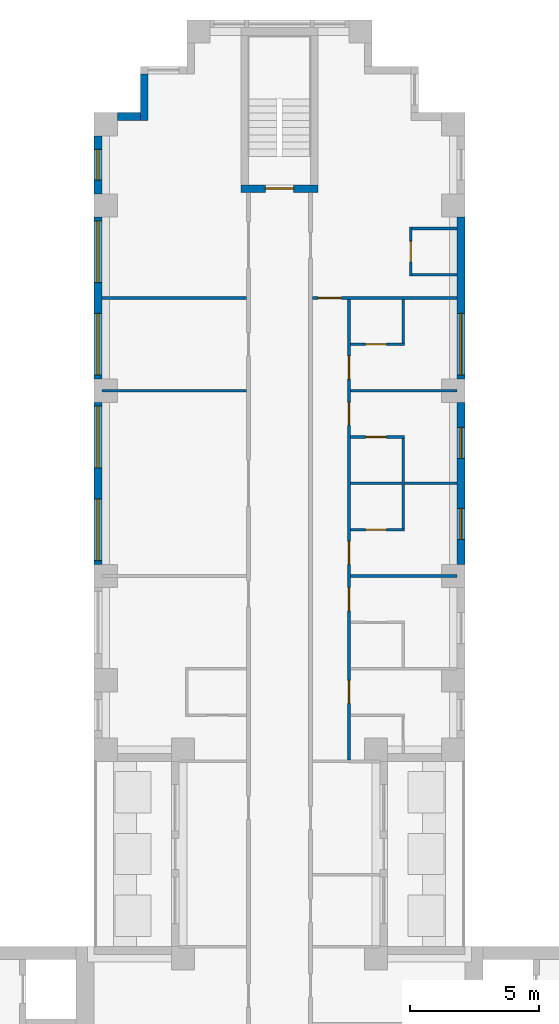
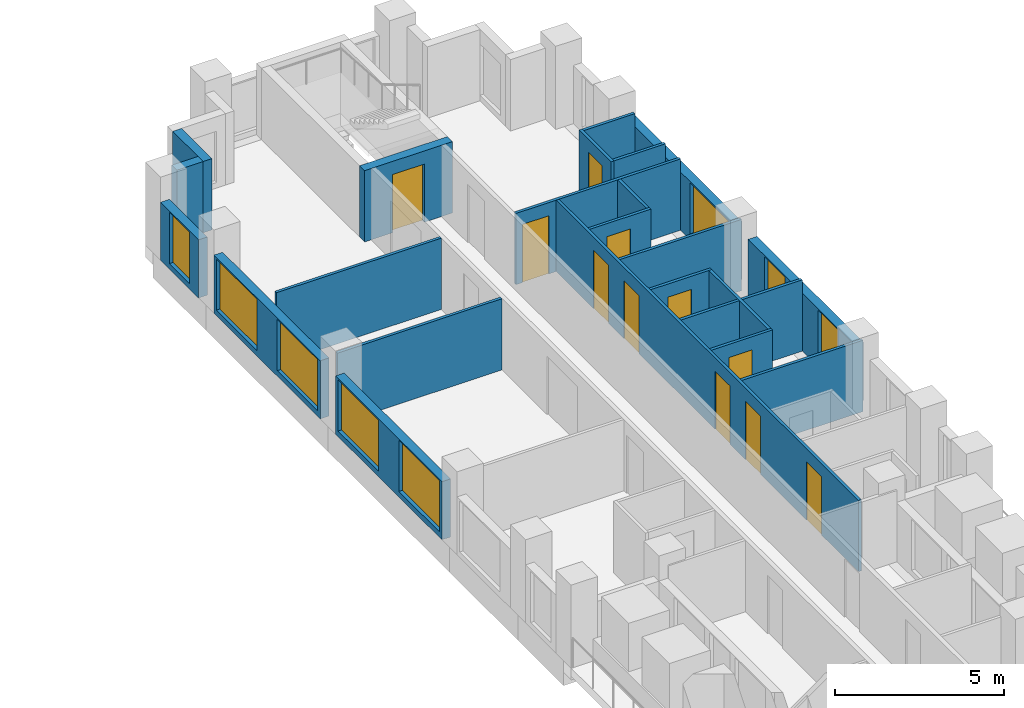
# One storey, part 11 of 15: 23 walls, 11 doors, 8 windows, 19 openings.
"""IFC4 building model written with IfcOpenShell, lengths in metres."""

from ifc_helpers import new_model, si_unit, direction, frame, frame_2d, origin, place, context, subcontext, project, spatial, rectangle, extrude, material, layer, layer_set, type_object, element, fill, save


model = new_model("IFC4")

# Units and contexts
model_context = context("Model", 3, precision=1e-05, world=origin(), true_north=direction((0.0, 1.0)))
body_context = subcontext(model_context, "Body", "Model", "MODEL_VIEW")
ifc_project = project(units=[si_unit("LENGTHUNIT", "METRE"), si_unit("AREAUNIT", "SQUARE_METRE"), si_unit("VOLUMEUNIT", "CUBIC_METRE"), si_unit("PLANEANGLEUNIT", "RADIAN"), si_unit("MASSUNIT", "GRAM", prefix="KILO")], contexts=[model_context])

# Site, building, storey
site_placement = place(None, origin())
site = spatial("IfcSite", under=ifc_project, at=site_placement, CompositionType="ELEMENT")
building_placement = place(site_placement, origin())
building = spatial("IfcBuilding", under=site, at=building_placement, Name="Fustian Cross Tower", CompositionType="ELEMENT")
storey_placement = place(building_placement, frame((0.0, 0.0, 41.699951171875)))
storey = spatial("IfcBuildingStorey", under=building, at=storey_placement, Name="L12", CompositionType="ELEMENT", Elevation=41.699951171875)

# Walls
ifc_material_1 = material(Name="Plasterboard on steel stud", Category="steel")
ifc_layer_1 = layer(ifc_material_1, 0.10009765625)
ifc_layer_set_1 = layer_set([ifc_layer_1], Name="Plasterboard on steel stud")
wall_type_1 = type_object("IfcWallType", Name="PARTITION 100 STUD", PredefinedType="PARTITIONING", material=ifc_layer_set_1)
for number, where, z_axis, x_axis, name in (
    (1, (-6.89990234375, 28.800048828125, 0.0), (0.0, 0.0, 1.0), (1.0, 0.0, 0.0), "Partition 20"),
    (2, (-6.89990234375, 32.39990234375, 0.0), (0.0, 0.0, 1.0), (1.0, 0.0, 0.0), "Partition 21"),
):
    element("IfcWall", number, at=place(storey_placement, frame(where, z_axis=z_axis, x_axis=x_axis)), inside=storey, type_object=wall_type_1, Name=name, PredefinedType="PARTITIONING", context=body_context, shape_type="SweptSolid", body=[
        extrude(rectangle(XDim=5.625, YDim=0.10009765625, at=frame_2d((2.8125, 0.0))), origin(), (0.0, 0.0, 1.0), 2.574951171875),
    ])

# Wall, opening, door
wall_1_placement = place(storey_placement, frame((1.27490234375, 32.39990234375, 0.0), z_axis=(0.0, 0.0, 1.0), x_axis=(1.0, 0.0, 0.0)))
wall_1 = element("IfcWall", 3, at=wall_1_placement, inside=storey, type_object=wall_type_1, Name="Partition 58", PredefinedType="PARTITIONING", context=body_context, shape_type="SweptSolid", body=[
    extrude(rectangle(XDim=5.625, YDim=0.10009765625, at=frame_2d((2.8125, 0.0))), origin(), (0.0, 0.0, 1.0), 2.574951171875),
])
opening_1_placement = place(wall_1_placement, frame((0.22509765625, 0.0, 0.0)))
opening_1 = element("IfcOpeningElement", 4, at=opening_1_placement, cuts=wall_1, Name="Opening D07030", PredefinedType="OPENING", context=body_context, shape_type="SweptSolid", body=[
    extrude(rectangle(XDim=0.89990234375, YDim=2.10009765625, at=frame_2d((0.449951171875, 1.050048828125))), frame((0.0, 0.06005859375, 0.0), z_axis=(0.0, -1.0, 0.0), x_axis=(1.0, 0.0, 0.0)), (0.0, 0.0, 1.0), 0.1201171875),
])
ifc_material_2 = material(Name="Painted timber", Category="wood")
door_type_1 = type_object("IfcDoorType", Name="SWING DOOR 900", OperationType="SINGLE_SWING_LEFT", PredefinedType="DOOR", material=ifc_material_2)
door_1_placement = place(opening_1_placement, frame((0.89990234375, 0.0, 0.0), z_axis=(0.0, 0.0, 1.0), x_axis=(-1.0, 0.0, 0.0)))
door_1 = element("IfcDoor", 5, at=door_1_placement, inside=storey, type_object=door_type_1, Name="Door D07030", OperationType="SINGLE_SWING_RIGHT", OverallHeight=2.10009765625, OverallWidth=0.89990234375, PredefinedType="DOOR", context=body_context, shape_type="SweptSolid", body=[
    extrude(rectangle(XDim=0.89990234375, YDim=2.10009765625, at=frame_2d((0.449951171875, 1.050048828125))), frame((0.0, 0.02490234375, 0.0), z_axis=(0.0, -1.0, 0.0), x_axis=(1.0, 0.0, 0.0)), (0.0, 0.0, 1.0), 0.050048828125),
])
fill(opening_1, door_1)

# Wall, openings, doors
wall_2_placement = place(storey_placement, frame((2.699951171875, 14.46240234375, 0.0), z_axis=(0.0, 0.0, 1.0), x_axis=(0.0, 1.0, 0.0)))
wall_2 = element("IfcWall", 6, at=wall_2_placement, inside=storey, type_object=wall_type_1, Name="Partition 59", PredefinedType="PARTITIONING", context=body_context, shape_type="SweptSolid", body=[
    extrude(rectangle(XDim=17.8876953125, YDim=0.10009765625, at=frame_2d((8.94384765625, 0.0))), origin(), (0.0, 0.0, 1.0), 2.574951171875),
])
opening_2_placement = place(wall_2_placement, frame((2.1875, 0.0, 0.0)))
opening_2 = element("IfcOpeningElement", 7, at=opening_2_placement, cuts=wall_2, Name="Opening D07031", PredefinedType="OPENING", context=body_context, shape_type="SweptSolid", body=[
    extrude(rectangle(XDim=0.89990234375, YDim=2.10009765625, at=frame_2d((0.449951171875, 1.050048828125))), frame((0.0, 0.06005859375, 0.0), z_axis=(0.0, -1.0, 0.0), x_axis=(1.0, 0.0, 0.0)), (0.0, 0.0, 1.0), 0.1201171875),
])
opening_3_placement = place(wall_2_placement, frame((5.78759765625, 0.0, 0.0)))
opening_3 = element("IfcOpeningElement", 8, at=opening_3_placement, cuts=wall_2, Name="Opening D07032", PredefinedType="OPENING", context=body_context, shape_type="SweptSolid", body=[
    extrude(rectangle(XDim=0.89990234375, YDim=2.10009765625, at=frame_2d((0.449951171875, 1.050048828125))), frame((0.0, 0.06005859375, 0.0), z_axis=(0.0, -1.0, 0.0), x_axis=(1.0, 0.0, 0.0)), (0.0, 0.0, 1.0), 0.1201171875),
])
opening_4_placement = place(wall_2_placement, frame((7.58740234375, 0.0, 0.0)))
opening_4 = element("IfcOpeningElement", 9, at=opening_4_placement, cuts=wall_2, Name="Opening D07033", PredefinedType="OPENING", context=body_context, shape_type="SweptSolid", body=[
    extrude(rectangle(XDim=0.89990234375, YDim=2.10009765625, at=frame_2d((0.449951171875, 1.050048828125))), frame((0.0, 0.06005859375, 0.0), z_axis=(0.0, -1.0, 0.0), x_axis=(1.0, 0.0, 0.0)), (0.0, 0.0, 1.0), 0.1201171875),
])
opening_5_placement = place(wall_2_placement, frame((12.987548828125, 0.0, 0.0)))
opening_5 = element("IfcOpeningElement", 10, at=opening_5_placement, cuts=wall_2, Name="Opening D07034", PredefinedType="OPENING", context=body_context, shape_type="SweptSolid", body=[
    extrude(rectangle(XDim=0.89990234375, YDim=2.10009765625, at=frame_2d((0.449951171875, 1.050048828125))), frame((0.0, 0.06005859375, 0.0), z_axis=(0.0, -1.0, 0.0), x_axis=(1.0, 0.0, 0.0)), (0.0, 0.0, 1.0), 0.1201171875),
])
opening_6_placement = place(wall_2_placement, frame((14.78759765625, 0.0, 0.0)))
opening_6 = element("IfcOpeningElement", 11, at=opening_6_placement, cuts=wall_2, Name="Opening D07035", PredefinedType="OPENING", context=body_context, shape_type="SweptSolid", body=[
    extrude(rectangle(XDim=0.89990234375, YDim=2.10009765625, at=frame_2d((0.449951171875, 1.050048828125))), frame((0.0, 0.06005859375, 0.0), z_axis=(0.0, -1.0, 0.0), x_axis=(1.0, 0.0, 0.0)), (0.0, 0.0, 1.0), 0.1201171875),
])
door_2_placement = place(opening_2_placement, frame((0.89990234375, 0.0, 0.0), z_axis=(0.0, 0.0, 1.0), x_axis=(-1.0, 0.0, 0.0)))
door_2 = element("IfcDoor", 12, at=door_2_placement, inside=storey, type_object=door_type_1, Name="Door D07031", OperationType="SINGLE_SWING_RIGHT", OverallHeight=2.10009765625, OverallWidth=0.89990234375, PredefinedType="DOOR", context=body_context, shape_type="SweptSolid", body=[
    extrude(rectangle(XDim=0.89990234375, YDim=2.10009765625, at=frame_2d((0.449951171875, 1.050048828125))), frame((0.0, 0.02490234375, 0.0), z_axis=(0.0, -1.0, 0.0), x_axis=(1.0, 0.0, 0.0)), (0.0, 0.0, 1.0), 0.050048828125),
])
fill(opening_2, door_2)
door_3_placement = place(opening_3_placement, frame((0.89990234375, 0.0, 0.0), z_axis=(0.0, 0.0, 1.0), x_axis=(-1.0, 0.0, 0.0)))
door_3 = element("IfcDoor", 13, at=door_3_placement, inside=storey, type_object=door_type_1, Name="Door D07032", OperationType="SINGLE_SWING_RIGHT", OverallHeight=2.10009765625, OverallWidth=0.89990234375, PredefinedType="DOOR", context=body_context, shape_type="SweptSolid", body=[
    extrude(rectangle(XDim=0.89990234375, YDim=2.10009765625, at=frame_2d((0.449951171875, 1.050048828125))), frame((0.0, 0.02490234375, 0.0), z_axis=(0.0, -1.0, 0.0), x_axis=(1.0, 0.0, 0.0)), (0.0, 0.0, 1.0), 0.050048828125),
])
fill(opening_3, door_3)
door_4_placement = place(opening_4_placement, frame((0.89990234375, 0.0, 0.0), z_axis=(0.0, 0.0, 1.0), x_axis=(-1.0, 0.0, 0.0)))
door_4 = element("IfcDoor", 14, at=door_4_placement, inside=storey, type_object=door_type_1, Name="Door D07033", OperationType="SINGLE_SWING_RIGHT", OverallHeight=2.10009765625, OverallWidth=0.89990234375, PredefinedType="DOOR", context=body_context, shape_type="SweptSolid", body=[
    extrude(rectangle(XDim=0.89990234375, YDim=2.10009765625, at=frame_2d((0.449951171875, 1.050048828125))), frame((0.0, 0.02490234375, 0.0), z_axis=(0.0, -1.0, 0.0), x_axis=(1.0, 0.0, 0.0)), (0.0, 0.0, 1.0), 0.050048828125),
])
fill(opening_4, door_4)
door_5_placement = place(opening_5_placement, frame((0.89990234375, 0.0, 0.0), z_axis=(0.0, 0.0, 1.0), x_axis=(-1.0, 0.0, 0.0)))
door_5 = element("IfcDoor", 15, at=door_5_placement, inside=storey, type_object=door_type_1, Name="Door D07034", OperationType="SINGLE_SWING_RIGHT", OverallHeight=2.10009765625, OverallWidth=0.89990234375, PredefinedType="DOOR", context=body_context, shape_type="SweptSolid", body=[
    extrude(rectangle(XDim=0.89990234375, YDim=2.10009765625, at=frame_2d((0.449951171875, 1.050048828125))), frame((0.0, 0.02490234375, 0.0), z_axis=(0.0, -1.0, 0.0), x_axis=(1.0, 0.0, 0.0)), (0.0, 0.0, 1.0), 0.050048828125),
])
fill(opening_5, door_5)
door_6_placement = place(opening_6_placement, frame((0.89990234375, 0.0, 0.0), z_axis=(0.0, 0.0, 1.0), x_axis=(-1.0, 0.0, 0.0)))
door_6 = element("IfcDoor", 16, at=door_6_placement, inside=storey, type_object=door_type_1, Name="Door D07035", OperationType="SINGLE_SWING_RIGHT", OverallHeight=2.10009765625, OverallWidth=0.89990234375, PredefinedType="DOOR", context=body_context, shape_type="SweptSolid", body=[
    extrude(rectangle(XDim=0.89990234375, YDim=2.10009765625, at=frame_2d((0.449951171875, 1.050048828125))), frame((0.0, 0.02490234375, 0.0), z_axis=(0.0, -1.0, 0.0), x_axis=(1.0, 0.0, 0.0)), (0.0, 0.0, 1.0), 0.050048828125),
])
fill(opening_6, door_6)

# Wall
wall_3_placement = place(storey_placement, frame((2.75, 21.60009765625, 0.0), z_axis=(0.0, 0.0, 1.0), x_axis=(1.0, 0.0, 0.0)))
element("IfcWall", 17, at=wall_3_placement, inside=storey, type_object=wall_type_1, Name="Partition 64", PredefinedType="PARTITIONING", context=body_context, shape_type="SweptSolid", body=[
    extrude(rectangle(XDim=4.14990234375, YDim=0.10009765625, at=frame_2d((2.074951171875, 0.0))), origin(), (0.0, 0.0, 1.0), 2.574951171875),
])

# Wall, opening, door
wall_4_placement = place(storey_placement, frame((2.75, 23.39990234375, 0.0), z_axis=(0.0, 0.0, 1.0), x_axis=(1.0, 0.0, 0.0)))
wall_4 = element("IfcWall", 18, at=wall_4_placement, inside=storey, type_object=wall_type_1, Name="Partition 65", PredefinedType="PARTITIONING", context=body_context, shape_type="SweptSolid", body=[
    extrude(rectangle(XDim=2.10009765625, YDim=0.10009765625, at=frame_2d((1.050048828125, 0.0))), origin(), (0.0, 0.0, 1.0), 2.574951171875),
])
opening_7_placement = place(wall_4_placement, frame((0.60009765625, 0.0, 0.0)))
opening_7 = element("IfcOpeningElement", 19, at=opening_7_placement, cuts=wall_4, Name="Opening D07038", PredefinedType="OPENING", context=body_context, shape_type="SweptSolid", body=[
    extrude(rectangle(XDim=0.800048828125, YDim=2.10009765625, at=frame_2d((0.39990234375, 1.050048828125))), frame((0.0, 0.06005859375, 0.0), z_axis=(0.0, -1.0, 0.0), x_axis=(1.0, 0.0, 0.0)), (0.0, 0.0, 1.0), 0.1201171875),
])
ifc_material_3 = material(Name="Painted timber", Category="wood")
door_type_2 = type_object("IfcDoorType", Name="SWING DOOR 800", OperationType="SINGLE_SWING_LEFT", PredefinedType="DOOR", material=ifc_material_3)
door_7_placement = place(opening_7_placement, origin())
door_7 = element("IfcDoor", 20, at=door_7_placement, inside=storey, type_object=door_type_2, Name="Door D07038", OperationType="SINGLE_SWING_LEFT", OverallHeight=2.10009765625, OverallWidth=0.800048828125, PredefinedType="DOOR", context=body_context, shape_type="SweptSolid", body=[
    extrude(rectangle(XDim=0.800048828125, YDim=2.10009765625, at=frame_2d((0.39990234375, 1.050048828125))), frame((0.0, 0.02490234375, 0.0), z_axis=(0.0, -1.0, 0.0), x_axis=(1.0, 0.0, 0.0)), (0.0, 0.0, 1.0), 0.050048828125),
])
fill(opening_7, door_7)

# Wall
wall_5_placement = place(storey_placement, frame((2.75, 25.199951171875, 0.0), z_axis=(0.0, 0.0, 1.0), x_axis=(1.0, 0.0, 0.0)))
element("IfcWall", 21, at=wall_5_placement, inside=storey, type_object=wall_type_1, Name="Partition 66", PredefinedType="PARTITIONING", context=body_context, shape_type="SweptSolid", body=[
    extrude(rectangle(XDim=4.14990234375, YDim=0.10009765625, at=frame_2d((2.074951171875, 0.0))), origin(), (0.0, 0.0, 1.0), 2.574951171875),
])

# Wall, opening, door
wall_6_placement = place(storey_placement, frame((2.75, 27.0, 0.0), z_axis=(0.0, 0.0, 1.0), x_axis=(1.0, 0.0, 0.0)))
wall_6 = element("IfcWall", 22, at=wall_6_placement, inside=storey, type_object=wall_type_1, Name="Partition 67", PredefinedType="PARTITIONING", context=body_context, shape_type="SweptSolid", body=[
    extrude(rectangle(XDim=2.10009765625, YDim=0.10009765625, at=frame_2d((1.050048828125, 0.0))), origin(), (0.0, 0.0, 1.0), 2.574951171875),
])
opening_8_placement = place(wall_6_placement, frame((0.60009765625, 0.0, 0.0)))
opening_8 = element("IfcOpeningElement", 23, at=opening_8_placement, cuts=wall_6, Name="Opening D07039", PredefinedType="OPENING", context=body_context, shape_type="SweptSolid", body=[
    extrude(rectangle(XDim=0.800048828125, YDim=2.10009765625, at=frame_2d((0.39990234375, 1.050048828125))), frame((0.0, 0.06005859375, 0.0), z_axis=(0.0, -1.0, 0.0), x_axis=(1.0, 0.0, 0.0)), (0.0, 0.0, 1.0), 0.1201171875),
])
door_8_placement = place(opening_8_placement, frame((0.800048828125, 0.0, 0.0), z_axis=(0.0, 0.0, 1.0), x_axis=(-1.0, 0.0, 0.0)))
door_8 = element("IfcDoor", 24, at=door_8_placement, inside=storey, type_object=door_type_2, Name="Door D07039", OperationType="SINGLE_SWING_RIGHT", OverallHeight=2.10009765625, OverallWidth=0.800048828125, PredefinedType="DOOR", context=body_context, shape_type="SweptSolid", body=[
    extrude(rectangle(XDim=0.800048828125, YDim=2.10009765625, at=frame_2d((0.39990234375, 1.050048828125))), frame((0.0, 0.02490234375, 0.0), z_axis=(0.0, -1.0, 0.0), x_axis=(1.0, 0.0, 0.0)), (0.0, 0.0, 1.0), 0.050048828125),
])
fill(opening_8, door_8)

# Wall
wall_7_placement = place(storey_placement, frame((2.75, 28.800048828125, 0.0), z_axis=(0.0, 0.0, 1.0), x_axis=(1.0, 0.0, 0.0)))
element("IfcWall", 25, at=wall_7_placement, inside=storey, type_object=wall_type_1, Name="Partition 68", PredefinedType="PARTITIONING", context=body_context, shape_type="SweptSolid", body=[
    extrude(rectangle(XDim=4.14990234375, YDim=0.10009765625, at=frame_2d((2.074951171875, 0.0))), origin(), (0.0, 0.0, 1.0), 2.574951171875),
])

# Wall, opening, door
wall_8_placement = place(storey_placement, frame((2.75, 30.60009765625, 0.0), z_axis=(0.0, 0.0, 1.0), x_axis=(1.0, 0.0, 0.0)))
wall_8 = element("IfcWall", 26, at=wall_8_placement, inside=storey, type_object=wall_type_1, Name="Partition 69", PredefinedType="PARTITIONING", context=body_context, shape_type="SweptSolid", body=[
    extrude(rectangle(XDim=2.10009765625, YDim=0.10009765625, at=frame_2d((1.050048828125, 0.0))), origin(), (0.0, 0.0, 1.0), 2.574951171875),
])
opening_9_placement = place(wall_8_placement, frame((0.60009765625, 0.0, 0.0)))
opening_9 = element("IfcOpeningElement", 27, at=opening_9_placement, cuts=wall_8, Name="Opening D07040", PredefinedType="OPENING", context=body_context, shape_type="SweptSolid", body=[
    extrude(rectangle(XDim=0.800048828125, YDim=2.10009765625, at=frame_2d((0.39990234375, 1.050048828125))), frame((0.0, 0.06005859375, 0.0), z_axis=(0.0, -1.0, 0.0), x_axis=(1.0, 0.0, 0.0)), (0.0, 0.0, 1.0), 0.1201171875),
])
door_9_placement = place(opening_9_placement, origin())
door_9 = element("IfcDoor", 28, at=door_9_placement, inside=storey, type_object=door_type_2, Name="Door D07040", OperationType="SINGLE_SWING_LEFT", OverallHeight=2.10009765625, OverallWidth=0.800048828125, PredefinedType="DOOR", context=body_context, shape_type="SweptSolid", body=[
    extrude(rectangle(XDim=0.800048828125, YDim=2.10009765625, at=frame_2d((0.39990234375, 1.050048828125))), frame((0.0, 0.02490234375, 0.0), z_axis=(0.0, -1.0, 0.0), x_axis=(1.0, 0.0, 0.0)), (0.0, 0.0, 1.0), 0.050048828125),
])
fill(opening_9, door_9)

# Walls
wall_9_placement = place(storey_placement, frame((4.800048828125, 23.449951171875, 0.0), z_axis=(0.0, 0.0, 1.0), x_axis=(0.0, 1.0, 0.0)))
element("IfcWall", 29, at=wall_9_placement, inside=storey, type_object=wall_type_1, Name="Partition 75", PredefinedType="PARTITIONING", context=body_context, shape_type="SweptSolid", body=[
    extrude(rectangle(XDim=3.5, YDim=0.10009765625, at=frame_2d((1.75, 0.0))), origin(), (0.0, 0.0, 1.0), 2.574951171875),
])
wall_10_placement = place(storey_placement, frame((4.800048828125, 30.64990234375, 0.0), z_axis=(0.0, 0.0, 1.0), x_axis=(0.0, 1.0, 0.0)))
element("IfcWall", 30, at=wall_10_placement, inside=storey, type_object=wall_type_1, Name="Partition 76", PredefinedType="PARTITIONING", context=body_context, shape_type="SweptSolid", body=[
    extrude(rectangle(XDim=1.7001953125, YDim=0.10009765625, at=frame_2d((0.85009765625, 0.0))), origin(), (0.0, 0.0, 1.0), 2.574951171875),
])

# Wall, opening, door
wall_11_placement = place(storey_placement, frame((5.10009765625, 33.25, 0.0), z_axis=(0.0, 0.0, 1.0), x_axis=(0.0, 1.0, 0.0)))
wall_11 = element("IfcWall", 31, at=wall_11_placement, inside=storey, type_object=wall_type_1, Name="Partition 77", PredefinedType="PARTITIONING", context=body_context, shape_type="SweptSolid", body=[
    extrude(rectangle(XDim=1.89990234375, YDim=0.10009765625, at=frame_2d((0.949951171875, 0.0))), origin(), (0.0, 0.0, 1.0), 2.574951171875),
])
opening_10_placement = place(wall_11_placement, frame((0.550048828125, 0.0, 0.0)))
opening_10 = element("IfcOpeningElement", 32, at=opening_10_placement, cuts=wall_11, Name="Opening D07028", PredefinedType="OPENING", context=body_context, shape_type="SweptSolid", body=[
    extrude(rectangle(XDim=0.800048828125, YDim=2.10009765625, at=frame_2d((0.39990234375, 1.050048828125))), frame((0.0, 0.06005859375, 0.0), z_axis=(0.0, -1.0, 0.0), x_axis=(1.0, 0.0, 0.0)), (0.0, 0.0, 1.0), 0.1201171875),
])
door_10_placement = place(opening_10_placement, frame((0.800048828125, 0.0, 0.0), z_axis=(0.0, 0.0, 1.0), x_axis=(-1.0, 0.0, 0.0)))
door_10 = element("IfcDoor", 33, at=door_10_placement, inside=storey, type_object=door_type_2, Name="Door D07028", OperationType="SINGLE_SWING_LEFT", OverallHeight=2.10009765625, OverallWidth=0.800048828125, PredefinedType="DOOR", context=body_context, shape_type="SweptSolid", body=[
    extrude(rectangle(XDim=0.800048828125, YDim=2.10009765625, at=frame_2d((0.39990234375, 1.050048828125))), frame((0.0, 0.02490234375, 0.0), z_axis=(0.0, -1.0, 0.0), x_axis=(1.0, 0.0, 0.0)), (0.0, 0.0, 1.0), 0.050048828125),
])
fill(opening_10, door_10)

# Walls
for number, where, z_axis, x_axis, name in (
    (34, (5.14990234375, 33.300048828125, 0.0), (0.0, 0.0, 1.0), (1.0, 0.0, 0.0), "Partition 78"),
    (35, (5.14990234375, 35.10009765625, 0.0), (0.0, 0.0, 1.0), (1.0, 0.0, 0.0), "Partition 79"),
):
    element("IfcWall", number, at=place(storey_placement, frame(where, z_axis=z_axis, x_axis=x_axis)), inside=storey, type_object=wall_type_1, Name=name, PredefinedType="PARTITIONING", context=body_context, shape_type="SweptSolid", body=[
        extrude(rectangle(XDim=1.75, YDim=0.10009765625, at=frame_2d((0.875, 0.0))), origin(), (0.0, 0.0, 1.0), 2.574951171875),
    ])

# Wall, opening, door
ifc_material_4 = material(Name="Concrete C50/60", Category="concrete")
ifc_layer_2 = layer(ifc_material_4, 0.300048828125)
ifc_layer_set_2 = layer_set([ifc_layer_2], Name="Concrete C50/60")
wall_type_2 = type_object("IfcWallType", Name="STAIR ENCLOSURE WALL 300 C50/60", PredefinedType="SHEAR", material=ifc_layer_set_2)
wall_12_placement = place(storey_placement, frame((-1.5, 36.64990234375, 0.0), z_axis=(0.0, 0.0, 1.0), x_axis=(1.0, 0.0, 0.0)))
wall_12 = element("IfcWall", 36, at=wall_12_placement, inside=storey, type_object=wall_type_2, Name="Stair enclosure wall", PredefinedType="SHEAR", context=body_context, shape_type="SweptSolid", body=[
    extrude(rectangle(XDim=3.0, YDim=0.300048828125, at=frame_2d((1.5, 0.0))), origin(), (0.0, 0.0, 1.0), 2.574951171875),
])
opening_11_placement = place(wall_12_placement, frame((0.949951171875, 0.0, 0.0)))
opening_11 = element("IfcOpeningElement", 37, at=opening_11_placement, cuts=wall_12, Name="Opening CD-04-29", PredefinedType="OPENING", context=body_context, shape_type="SweptSolid", body=[
    extrude(rectangle(XDim=1.10009765625, YDim=2.10009765625, at=frame_2d((0.550048828125, 1.050048828125))), frame((0.0, 0.159912109375, 0.0), z_axis=(0.0, -1.0, 0.0), x_axis=(1.0, 0.0, 0.0)), (0.0, 0.0, 1.0), 0.320068359375),
])
ifc_material_5 = material(Name="Steel", Category="steel")
door_type_3 = type_object("IfcDoorType", Name="FIRE DOOR FD60S 1100X2100", OperationType="SINGLE_SWING_LEFT", PredefinedType="DOOR", material=ifc_material_5)
door_11_placement = place(opening_11_placement, origin())
door_11 = element("IfcDoor", 38, at=door_11_placement, inside=storey, type_object=door_type_3, Name="Core door CD-04-29", OperationType="SINGLE_SWING_LEFT", OverallHeight=2.10009765625, OverallWidth=1.10009765625, PredefinedType="DOOR", context=body_context, shape_type="SweptSolid", body=[
    extrude(rectangle(XDim=1.10009765625, YDim=2.10009765625, at=frame_2d((0.550048828125, 1.050048828125))), frame((0.0, 0.02490234375, 0.0), z_axis=(0.0, -1.0, 0.0), x_axis=(1.0, 0.0, 0.0)), (0.0, 0.0, 1.0), 0.050048828125),
])
fill(opening_11, door_11)

# Wall, openings, windows
ifc_material_6 = material(Name="Dark aluminium cladding on insulated backing wall", Category="aluminium")
ifc_layer_3 = layer(ifc_material_6, 0.300048828125)
ifc_layer_set_3 = layer_set([ifc_layer_3], Name="Dark aluminium cladding on insulated backing wall")
wall_type_3 = type_object("IfcWallType", Name="XW1 EXTERNAL WALL 300", PredefinedType="SOLIDWALL", material=ifc_layer_set_3)
wall_13_placement = place(storey_placement, frame((7.050048828125, 22.050048828125, 0.0), z_axis=(0.0, 0.0, 1.0), x_axis=(0.0, 1.0, 0.0)))
wall_13 = element("IfcWall", 39, at=wall_13_placement, inside=storey, type_object=wall_type_3, Name="External wall", PredefinedType="SOLIDWALL", context=body_context, shape_type="SweptSolid", body=[
    extrude(rectangle(XDim=6.300048828125, YDim=0.300048828125, at=frame_2d((3.14990234375, 0.0))), origin(), (0.0, 0.0, 1.0), 2.10009765625),
])
opening_12_placement = place(wall_13_placement, frame((0.97509765625, 0.0, 0.199951171875)))
opening_12 = element("IfcOpeningElement", 40, at=opening_12_placement, cuts=wall_13, Name="Opening WN3", PredefinedType="OPENING", context=body_context, shape_type="SweptSolid", body=[
    extrude(rectangle(XDim=1.199951171875, YDim=1.85009765625, at=frame_2d((0.60009765625, 0.925048828125))), frame((0.0, 0.159912109375, 0.0), z_axis=(0.0, -1.0, 0.0), x_axis=(1.0, 0.0, 0.0)), (0.0, 0.0, 1.0), 0.320068359375),
])
opening_13_placement = place(wall_13_placement, frame((4.125, 0.0, 0.199951171875)))
opening_13 = element("IfcOpeningElement", 41, at=opening_13_placement, cuts=wall_13, Name="Opening WN3", PredefinedType="OPENING", context=body_context, shape_type="SweptSolid", body=[
    extrude(rectangle(XDim=1.199951171875, YDim=1.85009765625, at=frame_2d((0.60009765625, 0.925048828125))), frame((0.0, 0.159912109375, 0.0), z_axis=(0.0, -1.0, 0.0), x_axis=(1.0, 0.0, 0.0)), (0.0, 0.0, 1.0), 0.320068359375),
])
ifc_material_7 = material(Name="Dark anodised aluminium and double glazing", Category="aluminium")
window_type_1 = type_object("IfcWindowType", Name="WN3 WINDOW 1200X1850", PartitioningType="SINGLE_PANEL", PredefinedType="WINDOW", material=ifc_material_7)
window_1_placement = place(opening_12_placement, origin())
window_1 = element("IfcWindow", 42, at=window_1_placement, inside=storey, type_object=window_type_1, Name="Window", OverallHeight=1.85009765625, OverallWidth=1.199951171875, PartitioningType="SINGLE_PANEL", PredefinedType="WINDOW", context=body_context, shape_type="SweptSolid", body=[
    extrude(rectangle(XDim=1.199951171875, YDim=1.85009765625, at=frame_2d((0.60009765625, 0.925048828125))), frame((0.0, 0.030029296875, 0.0), z_axis=(0.0, -1.0, 0.0), x_axis=(1.0, 0.0, 0.0)), (0.0, 0.0, 1.0), 0.06005859375),
])
fill(opening_12, window_1)
window_2_placement = place(opening_13_placement, origin())
window_2 = element("IfcWindow", 43, at=window_2_placement, inside=storey, type_object=window_type_1, Name="Window", OverallHeight=1.85009765625, OverallWidth=1.199951171875, PartitioningType="SINGLE_PANEL", PredefinedType="WINDOW", context=body_context, shape_type="SweptSolid", body=[
    extrude(rectangle(XDim=1.199951171875, YDim=1.85009765625, at=frame_2d((0.60009765625, 0.925048828125))), frame((0.0, 0.030029296875, 0.0), z_axis=(0.0, -1.0, 0.0), x_axis=(1.0, 0.0, 0.0)), (0.0, 0.0, 1.0), 0.06005859375),
])
fill(opening_13, window_2)

# Wall, opening, window
wall_14_placement = place(storey_placement, frame((7.050048828125, 29.25, 0.0), z_axis=(0.0, 0.0, 1.0), x_axis=(0.0, 1.0, 0.0)))
wall_14 = element("IfcWall", 44, at=wall_14_placement, inside=storey, type_object=wall_type_3, Name="External wall", PredefinedType="SOLIDWALL", context=body_context, shape_type="SweptSolid", body=[
    extrude(rectangle(XDim=6.300048828125, YDim=0.300048828125, at=frame_2d((3.14990234375, 0.0))), origin(), (0.0, 0.0, 1.0), 2.10009765625),
])
opening_14_placement = place(wall_14_placement, frame((0.14990234375, 0.0, 0.199951171875)))
opening_14 = element("IfcOpeningElement", 45, at=opening_14_placement, cuts=wall_14, Name="Opening WN1", PredefinedType="OPENING", context=body_context, shape_type="SweptSolid", body=[
    extrude(rectangle(XDim=2.39990234375, YDim=1.85009765625, at=frame_2d((1.199951171875, 0.925048828125))), frame((0.0, 0.159912109375, 0.0), z_axis=(0.0, -1.0, 0.0), x_axis=(1.0, 0.0, 0.0)), (0.0, 0.0, 1.0), 0.320068359375),
])
ifc_material_8 = material(Name="Dark anodised aluminium and double glazing", Category="aluminium")
window_type_2 = type_object("IfcWindowType", Name="WN1 WINDOW 2400X1850", PartitioningType="SINGLE_PANEL", PredefinedType="WINDOW", material=ifc_material_8)
window_3_placement = place(opening_14_placement, origin())
window_3 = element("IfcWindow", 46, at=window_3_placement, inside=storey, type_object=window_type_2, Name="Window", OverallHeight=1.85009765625, OverallWidth=2.39990234375, PartitioningType="SINGLE_PANEL", PredefinedType="WINDOW", context=body_context, shape_type="SweptSolid", body=[
    extrude(rectangle(XDim=2.39990234375, YDim=1.85009765625, at=frame_2d((1.199951171875, 0.925048828125))), frame((0.0, 0.030029296875, 0.0), z_axis=(0.0, -1.0, 0.0), x_axis=(1.0, 0.0, 0.0)), (0.0, 0.0, 1.0), 0.06005859375),
])
fill(opening_14, window_3)

# Walls
wall_15_placement = place(storey_placement, frame((-5.25, 41.10009765625, 0.0), z_axis=(0.0, 0.0, 1.0), x_axis=(0.0, -1.0, 0.0)))
element("IfcWall", 47, at=wall_15_placement, inside=storey, type_object=wall_type_3, Name="External wall", PredefinedType="SOLIDWALL", context=body_context, shape_type="SweptSolid", body=[
    extrude(rectangle(XDim=1.800048828125, YDim=0.300048828125, at=frame_2d((0.89990234375, 0.0))), origin(), (0.0, 0.0, 1.0), 2.574951171875),
])
wall_16_placement = place(storey_placement, frame((-5.39990234375, 39.449951171875, 0.0), z_axis=(0.0, 0.0, 1.0), x_axis=(-1.0, 0.0, 0.0)))
element("IfcWall", 48, at=wall_16_placement, inside=storey, type_object=wall_type_3, Name="External wall", PredefinedType="SOLIDWALL", context=body_context, shape_type="SweptSolid", body=[
    extrude(rectangle(XDim=0.900146484375, YDim=0.300048828125, at=frame_2d((0.4501953125, 0.0))), origin(), (0.0, 0.0, 1.0), 2.574951171875),
])

# Wall, opening, window
wall_17_placement = place(storey_placement, frame((-7.050048828125, 38.699951171875, 0.0), z_axis=(0.0, 0.0, 1.0), x_axis=(0.0, -1.0, 0.0)))
wall_17 = element("IfcWall", 49, at=wall_17_placement, inside=storey, type_object=wall_type_3, Name="External wall", PredefinedType="SOLIDWALL", context=body_context, shape_type="SweptSolid", body=[
    extrude(rectangle(XDim=2.25, YDim=0.300048828125, at=frame_2d((1.125, 0.0))), origin(), (0.0, 0.0, 1.0), 2.10009765625),
])
opening_15_placement = place(wall_17_placement, frame((0.52490234375, 0.0, 0.199951171875)))
opening_15 = element("IfcOpeningElement", 50, at=opening_15_placement, cuts=wall_17, Name="Opening WN3", PredefinedType="OPENING", context=body_context, shape_type="SweptSolid", body=[
    extrude(rectangle(XDim=1.199951171875, YDim=1.85009765625, at=frame_2d((0.60009765625, 0.925048828125))), frame((0.0, 0.159912109375, 0.0), z_axis=(0.0, -1.0, 0.0), x_axis=(1.0, 0.0, 0.0)), (0.0, 0.0, 1.0), 0.320068359375),
])
window_4_placement = place(opening_15_placement, origin())
window_4 = element("IfcWindow", 51, at=window_4_placement, inside=storey, type_object=window_type_1, Name="Window", OverallHeight=1.85009765625, OverallWidth=1.199951171875, PartitioningType="SINGLE_PANEL", PredefinedType="WINDOW", context=body_context, shape_type="SweptSolid", body=[
    extrude(rectangle(XDim=1.199951171875, YDim=1.85009765625, at=frame_2d((0.60009765625, 0.925048828125))), frame((0.0, 0.030029296875, 0.0), z_axis=(0.0, -1.0, 0.0), x_axis=(1.0, 0.0, 0.0)), (0.0, 0.0, 1.0), 0.06005859375),
])
fill(opening_15, window_4)

# Wall, openings, windows
wall_18_placement = place(storey_placement, frame((-7.050048828125, 35.550048828125, 0.0), z_axis=(0.0, 0.0, 1.0), x_axis=(0.0, -1.0, 0.0)))
wall_18 = element("IfcWall", 52, at=wall_18_placement, inside=storey, type_object=wall_type_3, Name="External wall", PredefinedType="SOLIDWALL", context=body_context, shape_type="SweptSolid", body=[
    extrude(rectangle(XDim=6.300048828125, YDim=0.300048828125, at=frame_2d((3.14990234375, 0.0))), origin(), (0.0, 0.0, 1.0), 2.10009765625),
])
opening_16_placement = place(wall_18_placement, frame((0.14990234375, 0.0, 0.199951171875)))
opening_16 = element("IfcOpeningElement", 53, at=opening_16_placement, cuts=wall_18, Name="Opening WN1", PredefinedType="OPENING", context=body_context, shape_type="SweptSolid", body=[
    extrude(rectangle(XDim=2.39990234375, YDim=1.85009765625, at=frame_2d((1.199951171875, 0.925048828125))), frame((0.0, 0.159912109375, 0.0), z_axis=(0.0, -1.0, 0.0), x_axis=(1.0, 0.0, 0.0)), (0.0, 0.0, 1.0), 0.320068359375),
])
opening_17_placement = place(wall_18_placement, frame((3.75, 0.0, 0.199951171875)))
opening_17 = element("IfcOpeningElement", 54, at=opening_17_placement, cuts=wall_18, Name="Opening WN1", PredefinedType="OPENING", context=body_context, shape_type="SweptSolid", body=[
    extrude(rectangle(XDim=2.39990234375, YDim=1.85009765625, at=frame_2d((1.199951171875, 0.925048828125))), frame((0.0, 0.159912109375, 0.0), z_axis=(0.0, -1.0, 0.0), x_axis=(1.0, 0.0, 0.0)), (0.0, 0.0, 1.0), 0.320068359375),
])
window_5_placement = place(opening_16_placement, origin())
window_5 = element("IfcWindow", 55, at=window_5_placement, inside=storey, type_object=window_type_2, Name="Window", OverallHeight=1.85009765625, OverallWidth=2.39990234375, PartitioningType="SINGLE_PANEL", PredefinedType="WINDOW", context=body_context, shape_type="SweptSolid", body=[
    extrude(rectangle(XDim=2.39990234375, YDim=1.85009765625, at=frame_2d((1.199951171875, 0.925048828125))), frame((0.0, 0.030029296875, 0.0), z_axis=(0.0, -1.0, 0.0), x_axis=(1.0, 0.0, 0.0)), (0.0, 0.0, 1.0), 0.06005859375),
])
fill(opening_16, window_5)
window_6_placement = place(opening_17_placement, origin())
window_6 = element("IfcWindow", 56, at=window_6_placement, inside=storey, type_object=window_type_2, Name="Window", OverallHeight=1.85009765625, OverallWidth=2.39990234375, PartitioningType="SINGLE_PANEL", PredefinedType="WINDOW", context=body_context, shape_type="SweptSolid", body=[
    extrude(rectangle(XDim=2.39990234375, YDim=1.85009765625, at=frame_2d((1.199951171875, 0.925048828125))), frame((0.0, 0.030029296875, 0.0), z_axis=(0.0, -1.0, 0.0), x_axis=(1.0, 0.0, 0.0)), (0.0, 0.0, 1.0), 0.06005859375),
])
fill(opening_17, window_6)

wall_19_placement = place(storey_placement, frame((-7.050048828125, 28.35009765625, 0.0), z_axis=(0.0, 0.0, 1.0), x_axis=(0.0, -1.0, 0.0)))
wall_19 = element("IfcWall", 57, at=wall_19_placement, inside=storey, type_object=wall_type_3, Name="External wall", PredefinedType="SOLIDWALL", context=body_context, shape_type="SweptSolid", body=[
    extrude(rectangle(XDim=6.300048828125, YDim=0.300048828125, at=frame_2d((3.14990234375, 0.0))), origin(), (0.0, 0.0, 1.0), 2.10009765625),
])
opening_18_placement = place(wall_19_placement, frame((0.14990234375, 0.0, 0.199951171875)))
opening_18 = element("IfcOpeningElement", 58, at=opening_18_placement, cuts=wall_19, Name="Opening WN1", PredefinedType="OPENING", context=body_context, shape_type="SweptSolid", body=[
    extrude(rectangle(XDim=2.39990234375, YDim=1.85009765625, at=frame_2d((1.199951171875, 0.925048828125))), frame((0.0, 0.159912109375, 0.0), z_axis=(0.0, -1.0, 0.0), x_axis=(1.0, 0.0, 0.0)), (0.0, 0.0, 1.0), 0.320068359375),
])
opening_19_placement = place(wall_19_placement, frame((3.75, 0.0, 0.199951171875)))
opening_19 = element("IfcOpeningElement", 59, at=opening_19_placement, cuts=wall_19, Name="Opening WN1", PredefinedType="OPENING", context=body_context, shape_type="SweptSolid", body=[
    extrude(rectangle(XDim=2.39990234375, YDim=1.85009765625, at=frame_2d((1.199951171875, 0.925048828125))), frame((0.0, 0.159912109375, 0.0), z_axis=(0.0, -1.0, 0.0), x_axis=(1.0, 0.0, 0.0)), (0.0, 0.0, 1.0), 0.320068359375),
])
window_7_placement = place(opening_18_placement, origin())
window_7 = element("IfcWindow", 60, at=window_7_placement, inside=storey, type_object=window_type_2, Name="Window", OverallHeight=1.85009765625, OverallWidth=2.39990234375, PartitioningType="SINGLE_PANEL", PredefinedType="WINDOW", context=body_context, shape_type="SweptSolid", body=[
    extrude(rectangle(XDim=2.39990234375, YDim=1.85009765625, at=frame_2d((1.199951171875, 0.925048828125))), frame((0.0, 0.030029296875, 0.0), z_axis=(0.0, -1.0, 0.0), x_axis=(1.0, 0.0, 0.0)), (0.0, 0.0, 1.0), 0.06005859375),
])
fill(opening_18, window_7)
window_8_placement = place(opening_19_placement, origin())
window_8 = element("IfcWindow", 61, at=window_8_placement, inside=storey, type_object=window_type_2, Name="Window", OverallHeight=1.85009765625, OverallWidth=2.39990234375, PartitioningType="SINGLE_PANEL", PredefinedType="WINDOW", context=body_context, shape_type="SweptSolid", body=[
    extrude(rectangle(XDim=2.39990234375, YDim=1.85009765625, at=frame_2d((1.199951171875, 0.925048828125))), frame((0.0, 0.030029296875, 0.0), z_axis=(0.0, -1.0, 0.0), x_axis=(1.0, 0.0, 0.0)), (0.0, 0.0, 1.0), 0.06005859375),
])
fill(opening_19, window_8)

save(model, "model.ifc")
